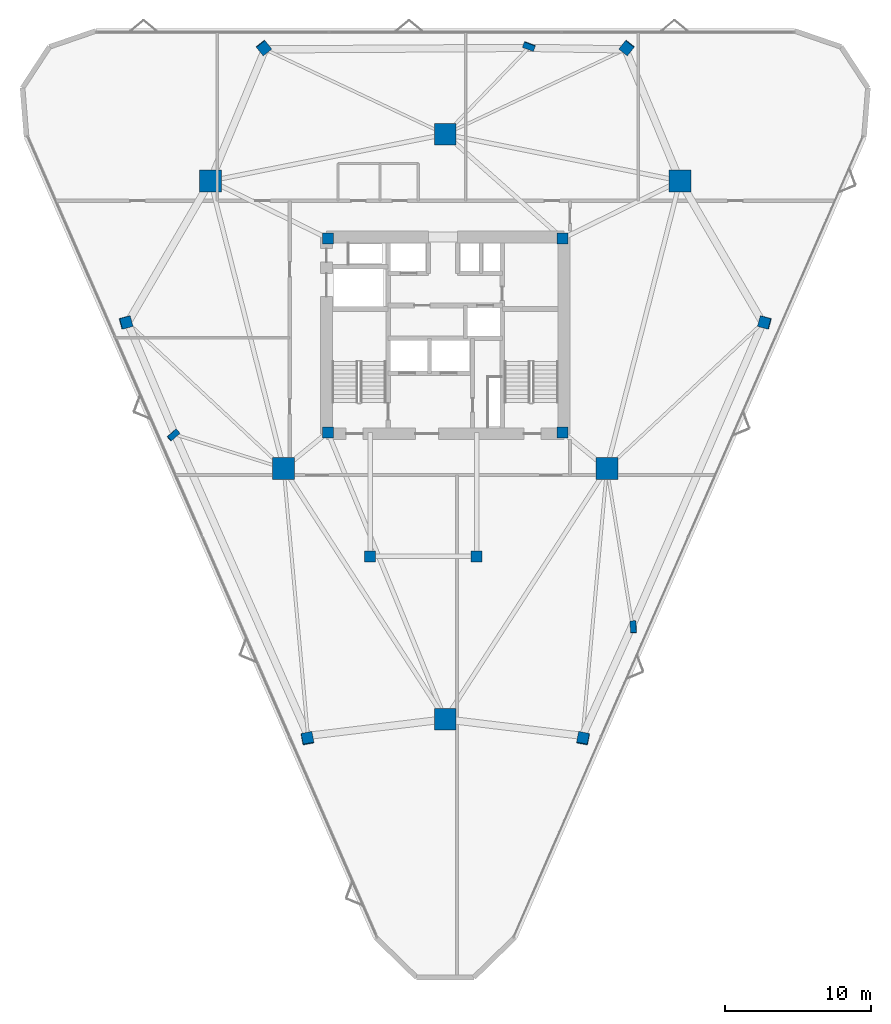
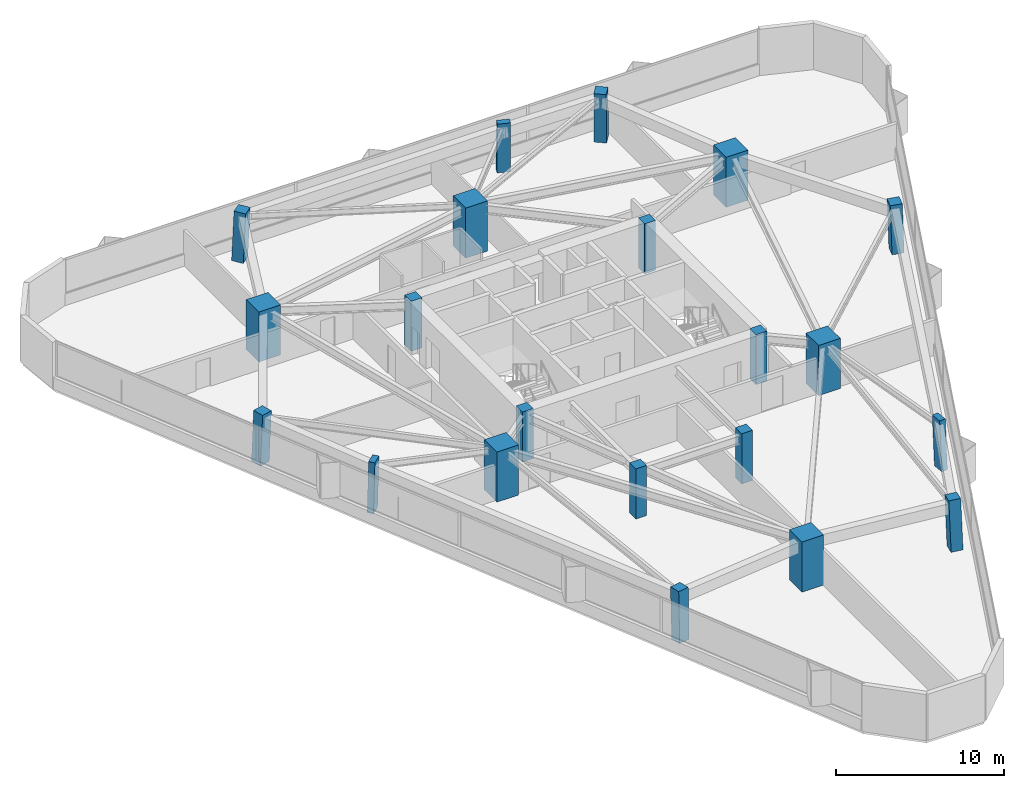
# One storey, part 1 of 14: 21 columns.
"""IFC4 building model written with IfcOpenShell, lengths in metres."""

import ifcopenshell
import ifcopenshell.guid

model = None  # the IFC model being written
_history = None  # IfcOwnerHistory: only IFC2X3 demands one
_inside = {}  # id of a spatial element -> (the spatial element, [elements in it])
_under = {}  # id of a project, library or spatial element -> (it, [spatial elements below it])
_declared = {}  # id of a project -> (the project, [libraries it declares])
_typed = {}  # id of a type object -> (the type object, [elements of that type])
_made_of = {}  # id of a material, layer set ... -> (it, [elements and type objects made of it])


def new_model(schema):
    """Start an empty IFC model of exactly this schema.

    Asked for "IFC4X3", IfcOpenShell would pick the latest addendum, in which some entities
    have other attributes; the version numbers below select the first issue.
    IFC2X3 requires an IfcOwnerHistory on every rooted entity: one is made here for all.
    """
    global model, _history
    if schema == "IFC4X3":
        model = ifcopenshell.file(schema_version=(4, 3, 0, 0))
    else:
        model = ifcopenshell.file(schema=schema)
    _inside.clear()
    _under.clear()
    _declared.clear()
    _typed.clear()
    _made_of.clear()
    _history = None
    if model.schema == "IFC2X3":
        org = make("IfcOrganization", Name="unknown")
        user = make(
            "IfcPersonAndOrganization",
            ThePerson=make("IfcPerson", FamilyName="unknown"),
            TheOrganization=org,
        )
        app = make(
            "IfcApplication",
            ApplicationDeveloper=org,
            Version="unknown",
            ApplicationFullName="unknown",
            ApplicationIdentifier="unknown",
        )
        _history = make(
            "IfcOwnerHistory",
            OwningUser=user,
            OwningApplication=app,
            ChangeAction="ADDED",
            CreationDate=0,
        )
    return model


def make(cls, **values):
    """One entity of the class cls with the attributes given. An attribute that is None is left unset."""
    return model.create_entity(
        cls, **{name: value for name, value in values.items() if value is not None}
    )


def rooted(cls, **values):
    """An entity with a GlobalId (a new one), such as an element, a storey or a relation."""
    return make(cls, GlobalId=ifcopenshell.guid.new(), OwnerHistory=_history, **values)


def si_unit(unit_type, name, prefix=None):
    """IfcSIUnit, for example si_unit("LENGTHUNIT", "METRE", prefix="MILLI")."""
    return make("IfcSIUnit", UnitType=unit_type, Prefix=prefix, Name=name)


def assignment(units):
    """IfcUnitAssignment: the units of a project."""
    return None if units is None else make("IfcUnitAssignment", Units=units)


def point(xyz):
    """IfcCartesianPoint."""
    return None if xyz is None else make("IfcCartesianPoint", Coordinates=xyz)


def direction(xyz):
    """IfcDirection."""
    return None if xyz is None else make("IfcDirection", DirectionRatios=xyz)


def frame(location, z_axis=None, x_axis=None):
    """IfcAxis2Placement3D, a coordinate frame: its origin and axes. An axis left out is left unset."""
    return make(
        "IfcAxis2Placement3D",
        Location=point(location),
        Axis=direction(z_axis),
        RefDirection=direction(x_axis),
    )


def frame_2d(location, x_axis=None):
    """IfcAxis2Placement2D, a coordinate frame in the plane: its origin and x axis."""
    return make(
        "IfcAxis2Placement2D", Location=point(location), RefDirection=direction(x_axis)
    )


def origin():
    """The frame at (0, 0, 0) with its axes left unset."""
    return frame((0.0, 0.0, 0.0))


def origin_2d():
    """The frame at (0, 0) in the plane with its x axis left unset."""
    return frame_2d((0.0, 0.0))


def place(relative_to, where):
    """IfcLocalPlacement: puts the frame where relative to a parent placement (None: the world)."""
    return make(
        "IfcLocalPlacement", PlacementRelTo=relative_to, RelativePlacement=where
    )


def context(
    kind, dimensions, precision=None, world=None, true_north=None, identifier=None
):
    """IfcGeometricRepresentationContext, for example the 3D "Model" context."""
    return make(
        "IfcGeometricRepresentationContext",
        ContextIdentifier=identifier,
        ContextType=kind,
        CoordinateSpaceDimension=dimensions,
        Precision=precision,
        WorldCoordinateSystem=world,
        TrueNorth=true_north,
    )


def subcontext(parent, identifier, kind, view, scale=None):
    """IfcGeometricRepresentationSubContext, for example "Body" below "Model"."""
    return make(
        "IfcGeometricRepresentationSubContext",
        ContextIdentifier=identifier,
        ContextType=kind,
        ParentContext=parent,
        TargetScale=scale,
        TargetView=view,
    )


def project(units=None, contexts=None):
    """IfcProject with its units and contexts."""
    return rooted(
        "IfcProject",
        Name="project",
        RepresentationContexts=contexts,
        UnitsInContext=assignment(units),
    )


def spatial(cls, under=None, at=None, **own):
    """A site, building, storey or space (cls), placed at a placement, below another one or the project."""
    s = rooted(cls, ObjectPlacement=at, **own)
    if under is not None:
        _under.setdefault(under.id(), (under, []))[1].append(s)
    return s


def profile(cls, at=None, kind="AREA", **sizes):
    """A parametric profile (cls). Its sizes go by their IFC names, for example OverallWidth=200.0."""
    return make(cls, ProfileType=kind, Position=at, **sizes)


def rectangle(**sizes):
    """IfcRectangleProfileDef."""
    return profile("IfcRectangleProfileDef", **sizes)


def extrude(swept, where, along, depth):
    """IfcExtrudedAreaSolid: the profile swept, set in the frame where, extruded along a direction by depth."""
    return make(
        "IfcExtrudedAreaSolid",
        SweptArea=swept,
        Position=where,
        ExtrudedDirection=direction(along),
        Depth=depth,
    )


def shape(context_of_items, identifier, shape_type, items):
    """IfcShapeRepresentation: the items that make up one representation, for example the "Body"."""
    return make(
        "IfcShapeRepresentation",
        ContextOfItems=context_of_items,
        RepresentationIdentifier=identifier,
        RepresentationType=shape_type,
        Items=items,
    )


def material(Name=None, Category=None):
    """IfcMaterial."""
    return make("IfcMaterial", Name=Name, Category=Category)


def material_profile(
    of_material, cross_section, Name=None, Category=None, Priority=None
):
    """IfcMaterialProfile: a cross section and its material."""
    return make(
        "IfcMaterialProfile",
        Name=Name,
        Material=of_material,
        Profile=cross_section,
        Priority=Priority,
        Category=Category,
    )


def profile_set(profiles, Name=None, composite=None):
    """IfcMaterialProfileSet."""
    return make(
        "IfcMaterialProfileSet",
        Name=Name,
        MaterialProfiles=profiles,
        CompositeProfile=composite,
    )


def made_of(thing, what):
    """Note that an element or type object is made of a material, layer set ...; save() writes the relation."""
    if what is not None:
        _made_of.setdefault(what.id(), (what, []))[1].append(thing)
    return thing


def type_object(cls, material=None, **own):
    """A type object (cls), such as IfcWallType, which elements share."""
    return made_of(rooted(cls, **own), material)


def element(
    cls,
    number,
    at=None,
    inside=None,
    cuts=None,
    type_object=None,
    material=None,
    context=None,
    identifier="Body",
    shape_type=None,
    held_by="IfcProductDefinitionShape",
    body=None,
    shapes=None,
    **own,
):
    """One element of the class cls, such as IfcWall. Its Tag is "e" and its number.

    at: its placement. inside: the storey or other place that contains it. cuts: it is an
    opening in that element (IfcRelVoidsElement). A single representation is given by context,
    identifier, shape_type and body (its items); several are given by shapes. held_by: the class
    of the entity that holds the representations. save() writes the other relations.
    """
    e = rooted(cls, Tag="e%d" % number, ObjectPlacement=at, **own)
    if body is not None:
        shapes = [shape(context, identifier, shape_type, body)]
    if shapes is not None:
        e.Representation = make(held_by, Representations=shapes)
    if inside is not None:
        _inside.setdefault(inside.id(), (inside, []))[1].append(e)
    if cuts is not None:
        rooted(
            "IfcRelVoidsElement", RelatingBuildingElement=cuts, RelatedOpeningElement=e
        )
    if type_object is not None:
        _typed.setdefault(type_object.id(), (type_object, []))[1].append(e)
    return made_of(e, material)


def aggregate(whole, parts):
    """IfcRelAggregates: a whole, such as a stair, and the parts it consists of."""
    return rooted("IfcRelAggregates", RelatingObject=whole, RelatedObjects=parts)


def save(model, path):
    """Write the relations noted so far, then the file.

    IfcRelAggregates (storeys below a building ...), IfcRelContainedInSpatialStructure (elements
    in a storey), IfcRelDefinesByType, IfcRelAssociatesMaterial and IfcRelDeclares: one each for
    every whole, place, type object, material and project.
    """
    for whole, parts in _under.values():
        aggregate(whole, parts)
    for where, things in _inside.values():
        rooted(
            "IfcRelContainedInSpatialStructure",
            RelatedElements=things,
            RelatingStructure=where,
        )
    for kind, things in _typed.values():
        rooted("IfcRelDefinesByType", RelatedObjects=things, RelatingType=kind)
    for what, things in _made_of.values():
        rooted("IfcRelAssociatesMaterial", RelatedObjects=things, RelatingMaterial=what)
    for by, libraries in _declared.values():
        rooted("IfcRelDeclares", RelatingContext=by, RelatedDefinitions=libraries)
    model.write(path)


model = new_model("IFC4")

# Units and contexts
model_context = context("Model", 3, precision=1e-05, world=origin(), true_north=direction((0.0, 1.0)))
body_context = subcontext(model_context, "Body", "Model", "MODEL_VIEW")
ifc_project = project(units=[si_unit("LENGTHUNIT", "METRE"), si_unit("AREAUNIT", "SQUARE_METRE"), si_unit("VOLUMEUNIT", "CUBIC_METRE"), si_unit("PLANEANGLEUNIT", "RADIAN"), si_unit("MASSUNIT", "GRAM", prefix="KILO")], contexts=[model_context])

# Site, building, storey
site_placement = place(None, origin())
site = spatial("IfcSite", under=ifc_project, at=site_placement, CompositionType="ELEMENT")
building_placement = place(site_placement, origin())
building = spatial("IfcBuilding", under=site, at=building_placement, Name="Talyreon Biosciences Tower", CompositionType="ELEMENT")
storey_placement = place(building_placement, frame((0.0, 0.0, 138.14990234375)))
storey = spatial("IfcBuildingStorey", under=building, at=storey_placement, Name="L36", CompositionType="ELEMENT", Elevation=138.14990234375)

# Columns
ifc_material_1 = material(Name="Precast concrete C45/55", Category="concrete")
ifc_material_profile_1 = material_profile(ifc_material_1, rectangle(XDim=0.800048828125, YDim=0.39990234375, at=origin_2d()), Name="RC 800x400")
ifc_profile_set_1 = profile_set([ifc_material_profile_1], Name="Precast concrete C45/55")
column_type_1 = type_object("IfcColumnType", Name="FacadePilaster_800x400", PredefinedType="PILASTER", material=ifc_profile_set_1)
column_1_placement = place(storey_placement, frame((78.90771484375, 47.98046875, 0.003173828125), z_axis=(-0.019612004119, 0.038286915892, 0.999074312234), x_axis=(0.061571736701, -0.997323576184, 0.0394284875)))
element("IfcColumn", 1, at=column_1_placement, inside=storey, type_object=column_type_1, Name="L36 Facade Pilaster PL-SE", PredefinedType="PILASTER", context=body_context, shape_type="SweptSolid", body=[
    extrude(rectangle(XDim=0.800048828125, YDim=0.39990234375, at=origin_2d()), origin(), (0.0, 0.0, 1.0), 3.6474609375),
])
column_2_placement = place(storey_placement, frame((71.749755859375, 87.836181640625, 0.003173828125), z_axis=(-0.01238655289, -0.033544124313, 0.999360478022), x_axis=(-0.9380871136, 0.346399433166, 0.0)))
element("IfcColumn", 2, at=column_2_placement, inside=storey, type_object=column_type_1, Name="L36 Facade Pilaster PL-N", PredefinedType="PILASTER", context=body_context, shape_type="SweptSolid", body=[
    extrude(rectangle(XDim=0.800048828125, YDim=0.39990234375, at=origin_2d()), origin(), (0.0, 0.0, 1.0), 3.646484375),
])
column_3_placement = place(storey_placement, frame((47.342529296875, 61.15966796875, 0.003173828125), z_axis=(0.032006476949, 0.010512587617, 0.999432374368), x_axis=(0.745518186641, 0.665769621361, -0.030877899221)))
element("IfcColumn", 3, at=column_3_placement, inside=storey, type_object=column_type_1, Name="L36 Facade Pilaster PL-SW", PredefinedType="PILASTER", context=body_context, shape_type="SweptSolid", body=[
    extrude(rectangle(XDim=0.800048828125, YDim=0.39990234375, at=origin_2d()), origin(), (0.0, 0.0, 1.0), 3.64599609375),
])
ifc_material_2 = material(Name="Concrete C60/75", Category="concrete")
ifc_material_profile_2 = material_profile(ifc_material_2, rectangle(XDim=1.5, YDim=1.5, at=origin_2d()), Name="RC 1500x1500")
ifc_profile_set_2 = profile_set([ifc_material_profile_2], Name="Concrete C60/75")
column_type_2 = type_object("IfcColumnType", Name="MegaColumn_1500", PredefinedType="COLUMN", material=ifc_profile_set_2)
for number, where, z_axis, x_axis, name in (
    (4, (66.0, 41.6669921875, 0.0), (0.0, 0.0, 1.0), (1.0, 0.0, 0.0), "L36 Composite Mega-Column MC1"),
    (5, (82.102294921875, 78.5986328125, 0.0), (0.0, 0.0, 1.0), (1.0, 0.0, 0.0), "L36 Composite Mega-Column MC2"),
    (6, (49.897705078125, 78.5986328125, 0.0), (0.0, 0.0, 1.0), (1.0, 0.0, 0.0), "L36 Composite Mega-Column MC3"),
    (7, (77.086181640625, 58.88037109375, 0.0), (0.0, 0.0, 1.0), (1.0, 0.0, 0.0), "L36 Composite Mega-Column MC4"),
    (8, (66.0, 81.788818359375, 0.0), (0.0, 0.0, 1.0), (1.0, 0.0, 0.0), "L36 Composite Mega-Column MC5"),
    (9, (54.913818359375, 58.88037109375, 0.0), (0.0, 0.0, 1.0), (1.0, 0.0, 0.0), "L36 Composite Mega-Column MC6"),
):
    element("IfcColumn", number, at=place(storey_placement, frame(where, z_axis=z_axis, x_axis=x_axis)), inside=storey, type_object=column_type_2, Name=name, PredefinedType="COLUMN", context=body_context, shape_type="SweptSolid", body=[
        extrude(rectangle(XDim=1.5, YDim=1.5, at=origin_2d()), origin(), (0.0, 0.0, 1.0), 3.650146484375),
    ])
ifc_material_3 = material(Name="Concrete C50/60", Category="concrete")
ifc_material_profile_3 = material_profile(ifc_material_3, rectangle(XDim=0.75, YDim=0.75, at=origin_2d()), Name="RC 750x750")
ifc_profile_set_3 = profile_set([ifc_material_profile_3], Name="Concrete C50/60")
column_type_3 = type_object("IfcColumnType", Name="PerimeterColumn_750", PredefinedType="COLUMN", material=ifc_profile_set_3)
for number, where, z_axis, x_axis, name in (
    (10, (57.949951171875, 61.35009765625, 0.0), (0.0, 0.0, 1.0), (1.0, 0.0, 0.0), "L36 Core Column CC1"),
    (11, (74.050048828125, 61.35009765625, 0.0), (0.0, 0.0, 1.0), (1.0, 0.0, 0.0), "L36 Core Column CC2"),
    (12, (74.050048828125, 74.64990234375, 0.0), (0.0, 0.0, 1.0), (1.0, 0.0, 0.0), "L36 Core Column CC3"),
    (13, (57.949951171875, 74.64990234375, 0.0), (0.0, 0.0, 1.0), (1.0, 0.0, 0.0), "L36 Core Column CC4"),
    (14, (60.85009765625, 52.840087890625, 0.0), (0.0, 0.0, 1.0), (1.0, 0.0, 0.0), "L36 Core Column CSW"),
    (15, (68.14990234375, 52.840087890625, 0.0), (0.0, 0.0, 1.0), (1.0, 0.0, 0.0), "L36 Core Column CSE"),
):
    element("IfcColumn", number, at=place(storey_placement, frame(where, z_axis=z_axis, x_axis=x_axis)), inside=storey, type_object=column_type_3, Name=name, PredefinedType="COLUMN", context=body_context, shape_type="SweptSolid", body=[
        extrude(rectangle(XDim=0.75, YDim=0.75, at=origin_2d()), origin(), (0.0, 0.0, 1.0), 3.650146484375),
    ])
column_4_placement = place(storey_placement, frame((75.4619140625, 40.33251953125, 0.003173828125), z_axis=(-0.012375096162, 0.054517315524, 0.998436136818), x_axis=(-0.18738876869, -0.980948483112, 0.051239856058)))
element("IfcColumn", 16, at=column_4_placement, inside=storey, type_object=column_type_3, Name="L36 Tapering Perimeter Column PC-SE1", PredefinedType="COLUMN", context=body_context, shape_type="SweptSolid", body=[
    extrude(rectangle(XDim=0.75, YDim=0.75, at=origin_2d()), origin(), (0.0, 0.0, 1.0), 3.649658203125),
])
column_5_placement = place(storey_placement, frame((87.919921875, 68.887451171875, 0.003173828125), z_axis=(-0.039229493406, -0.00569028488, 0.999214024874), x_axis=(0.963762735166, -0.264275096593, 0.03633267986)))
element("IfcColumn", 17, at=column_5_placement, inside=storey, type_object=column_type_3, Name="L36 Tapering Perimeter Column PC-SE2", PredefinedType="COLUMN", context=body_context, shape_type="SweptSolid", body=[
    extrude(rectangle(XDim=0.75, YDim=0.75, at=origin_2d()), origin(), (0.0, 0.0, 1.0), 3.64697265625),
])
for number, where, z_axis, x_axis, name in (
    (18, (78.4580078125, 87.736083984375, 0.003173828125), (-0.026841136432, -0.033467751162, 0.999079307676), (-0.780107149771, 0.625645934116, 0.0), "L36 Tapering Perimeter Column PC-N1"),
    (19, (53.5419921875, 87.736083984375, 0.003173828125), (0.026841136432, -0.033467751162, 0.999079307676), (-0.780107149771, -0.625645934116, 0.0), "L36 Tapering Perimeter Column PC-N2"),
):
    element("IfcColumn", number, at=place(storey_placement, frame(where, z_axis=z_axis, x_axis=x_axis)), inside=storey, type_object=column_type_3, Name=name, PredefinedType="COLUMN", context=body_context, shape_type="SweptSolid", body=[
        extrude(rectangle(XDim=0.75, YDim=0.75, at=origin_2d()), origin(), (0.0, 0.0, 1.0), 3.6474609375),
    ])
column_6_placement = place(storey_placement, frame((44.080078125, 68.887451171875, 0.003173828125), z_axis=(0.039229493406, -0.00569028488, 0.999214024874), x_axis=(0.963762735166, 0.264275096593, -0.03633267986)))
element("IfcColumn", 20, at=column_6_placement, inside=storey, type_object=column_type_3, Name="L36 Tapering Perimeter Column PC-SW1", PredefinedType="COLUMN", context=body_context, shape_type="SweptSolid", body=[
    extrude(rectangle(XDim=0.75, YDim=0.75, at=origin_2d()), origin(), (0.0, 0.0, 1.0), 3.64697265625),
])
column_7_placement = place(storey_placement, frame((56.5380859375, 40.33251953125, 0.003173828125), z_axis=(0.012375096162, 0.054517315524, 0.998436136818), x_axis=(-0.18738876869, 0.980948483112, -0.051239856058)))
element("IfcColumn", 21, at=column_7_placement, inside=storey, type_object=column_type_3, Name="L36 Tapering Perimeter Column PC-SW2", PredefinedType="COLUMN", context=body_context, shape_type="SweptSolid", body=[
    extrude(rectangle(XDim=0.75, YDim=0.75, at=origin_2d()), origin(), (0.0, 0.0, 1.0), 3.649658203125),
])

save(model, "model.ifc")
